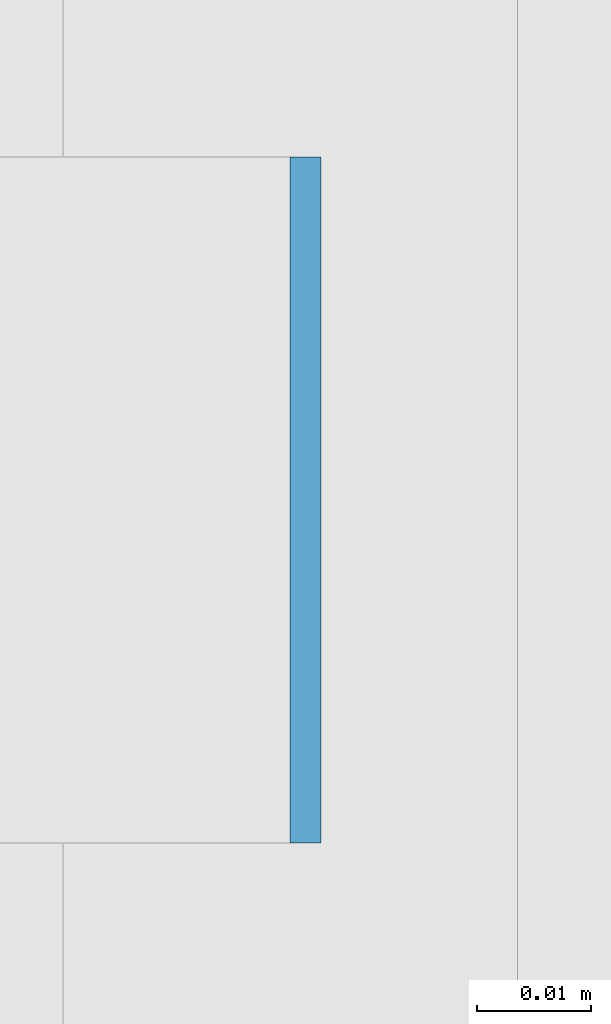
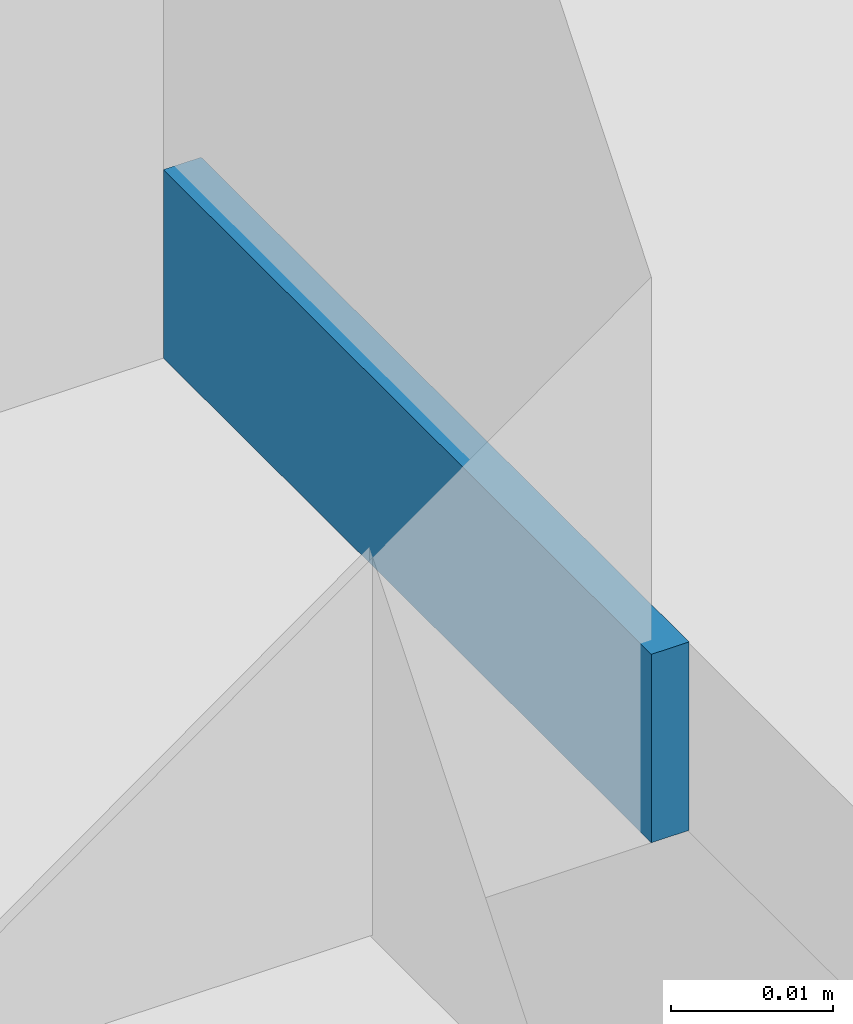
# One storey, part 296 of 646: 1 discrete accessory.
"""IFC4 building model written with IfcOpenShell, lengths in metres."""

from ifc_helpers import new_model, si_unit, direction, frame, origin, origin_2d, place, context, subcontext, project, spatial, rectangle, extrude, material, type_object, element, save


model = new_model("IFC4")

# Units and contexts
model_context = context("Model", 3, precision=1e-05, world=origin(), true_north=direction((0.0, 1.0)))
body_context = subcontext(model_context, "Body", "Model", "MODEL_VIEW")
ifc_project = project(units=[si_unit("LENGTHUNIT", "METRE"), si_unit("AREAUNIT", "SQUARE_METRE"), si_unit("VOLUMEUNIT", "CUBIC_METRE"), si_unit("PLANEANGLEUNIT", "RADIAN"), si_unit("MASSUNIT", "GRAM", prefix="KILO")], contexts=[model_context])

# Site, building, storey
site_placement = place(None, origin())
site = spatial("IfcSite", under=ifc_project, at=site_placement, CompositionType="ELEMENT")
building_placement = place(site_placement, origin())
building = spatial("IfcBuilding", under=site, at=building_placement, Name="Silverbay Arena", CompositionType="ELEMENT")
storey_placement = place(building_placement, frame((0.0, 0.0, 33.5)))
storey = spatial("IfcBuildingStorey", under=building, at=storey_placement, Name="L05", CompositionType="ELEMENT", Elevation=33.5)

# Discrete accessory
ifc_material = material(Name="Steel S355", Category="steel")
discrete_accessory_type = type_object("IfcDiscreteAccessoryType", Name="Steel bracket plate", PredefinedType="BRACKET", material=ifc_material)
discrete_accessory_placement = place(storey_placement, frame((53.871337890625, 60.428466796875, 4.0), z_axis=(0.0, 0.0, 1.0), x_axis=(1.0, 0.0, 0.0)))
element("IfcDiscreteAccessory", 1, at=discrete_accessory_placement, inside=storey, type_object=discrete_accessory_type, Name="Curtain wall packing plate", PredefinedType="BRACKET", context=body_context, shape_type="SweptSolid", body=[
    extrude(rectangle(XDim=0.002685546875, YDim=0.06005859375, at=origin_2d()), origin(), (0.0, 0.0, 1.0), 0.01416015625),
])

save(model, "model.ifc")
